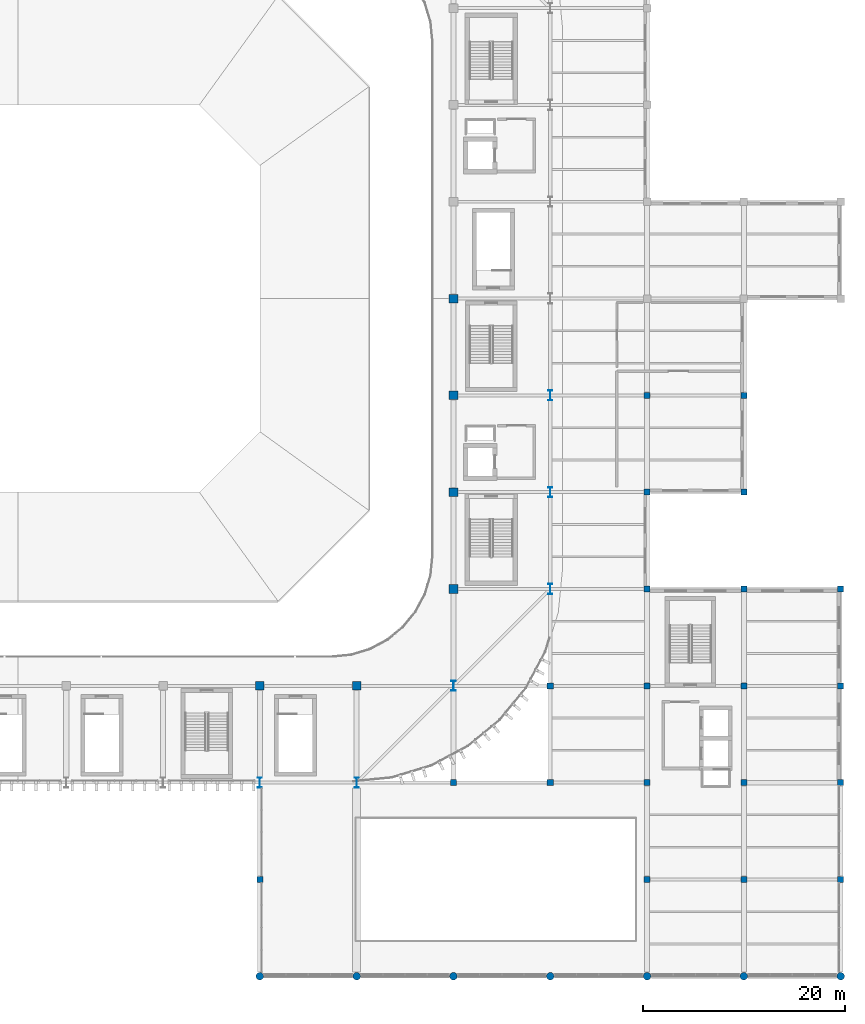
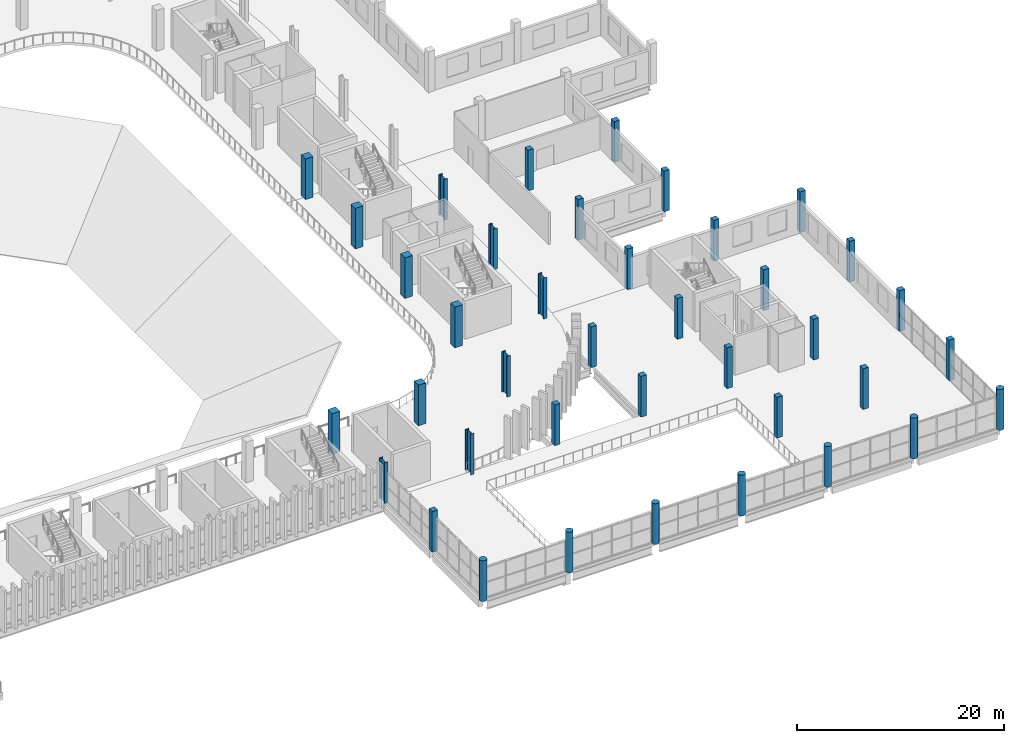
# One storey, part 9 of 99: 39 columns.
"""IFC4 building model written with IfcOpenShell, lengths in metres."""

from ifc_helpers import new_model, si_unit, direction, frame, origin, origin_2d, place, context, subcontext, project, spatial, rectangle, circle, i_section, extrude, material, material_profile, profile_set, type_object, element, save


model = new_model("IFC4")

# Units and contexts
model_context = context("Model", 3, precision=1e-05, world=origin(), true_north=direction((0.0, 1.0)))
body_context = subcontext(model_context, "Body", "Model", "MODEL_VIEW")
ifc_project = project(units=[si_unit("LENGTHUNIT", "METRE"), si_unit("AREAUNIT", "SQUARE_METRE"), si_unit("VOLUMEUNIT", "CUBIC_METRE"), si_unit("PLANEANGLEUNIT", "RADIAN"), si_unit("MASSUNIT", "GRAM", prefix="KILO")], contexts=[model_context])

# Site, building, storey
site_placement = place(None, origin())
site = spatial("IfcSite", under=ifc_project, at=site_placement, CompositionType="ELEMENT")
building_placement = place(site_placement, origin())
building = spatial("IfcBuilding", under=site, at=building_placement, Name="Caelomonte Colonnade Arena", CompositionType="ELEMENT")
storey_placement = place(building_placement, frame((0.0, 0.0, 4.800048828125)))
storey = spatial("IfcBuildingStorey", under=building, at=storey_placement, Name="L01", CompositionType="ELEMENT", Elevation=4.800048828125)

# Columns
ifc_material_1 = material(Name="Concrete C40/50", Category="concrete")
ifc_material_profile_1 = material_profile(ifc_material_1, rectangle(XDim=0.60009765625, YDim=0.60009765625, at=origin_2d()), Name="RC600X600")
ifc_profile_set_1 = profile_set([ifc_material_profile_1], Name="Concrete C40/50")
column_type_1 = type_object("IfcColumnType", Name="STR-COL-RC06", PredefinedType="COLUMN", material=ifc_profile_set_1)
for number, where, z_axis, x_axis, name in (
    (1, (134.39990234375, 9.60009765625, 0.0), (0.0, 0.0, 1.0), (1.0, 0.0, 0.0), "L01 column (134.4, 9.6)"),
    (2, (153.60009765625, 19.199951171875, 0.0), (0.0, 0.0, 1.0), (1.0, 0.0, 0.0), "L01 column (153.6, 19.2)"),
    (3, (163.199951171875, 19.199951171875, 0.0), (0.0, 0.0, 1.0), (1.0, 0.0, 0.0), "L01 column (163.2, 19.2)"),
    (4, (163.199951171875, 28.800048828125, 0.0), (0.0, 0.0, 1.0), (1.0, 0.0, 0.0), "L01 column (163.2, 28.8)"),
    (5, (172.800048828125, 9.60009765625, 0.0), (0.0, 0.0, 1.0), (1.0, 0.0, 0.0), "L01 column (172.8, 9.6)"),
    (6, (172.800048828125, 19.199951171875, 0.0), (0.0, 0.0, 1.0), (1.0, 0.0, 0.0), "L01 column (172.8, 19.2)"),
    (7, (172.800048828125, 28.800048828125, 0.0), (0.0, 0.0, 1.0), (1.0, 0.0, 0.0), "L01 column (172.8, 28.8)"),
    (8, (172.800048828125, 38.39990234375, 0.0), (0.0, 0.0, 1.0), (1.0, 0.0, 0.0), "L01 column (172.8, 38.4)"),
    (9, (172.800048828125, 48.0, 0.0), (0.0, 0.0, 1.0), (1.0, 0.0, 0.0), "L01 column (172.8, 48.0)"),
    (10, (172.800048828125, 57.60009765625, 0.0), (0.0, 0.0, 1.0), (1.0, 0.0, 0.0), "L01 column (172.8, 57.6)"),
    (11, (182.39990234375, 9.60009765625, 0.0), (0.0, 0.0, 1.0), (1.0, 0.0, 0.0), "L01 column (182.4, 9.6)"),
    (12, (182.39990234375, 19.199951171875, 0.0), (0.0, 0.0, 1.0), (1.0, 0.0, 0.0), "L01 column (182.4, 19.2)"),
    (13, (182.39990234375, 28.800048828125, 0.0), (0.0, 0.0, 1.0), (1.0, 0.0, 0.0), "L01 column (182.4, 28.8)"),
    (14, (182.39990234375, 38.39990234375, 0.0), (0.0, 0.0, 1.0), (1.0, 0.0, 0.0), "L01 column (182.4, 38.4)"),
    (15, (182.39990234375, 48.0, 0.0), (0.0, 0.0, 1.0), (1.0, 0.0, 0.0), "L01 column (182.4, 48.0)"),
    (16, (182.39990234375, 57.60009765625, 0.0), (0.0, 0.0, 1.0), (1.0, 0.0, 0.0), "L01 column (182.4, 57.6)"),
    (17, (192.0, 9.60009765625, 0.0), (0.0, 0.0, 1.0), (1.0, 0.0, 0.0), "L01 column (192.0, 9.6)"),
    (18, (192.0, 19.199951171875, 0.0), (0.0, 0.0, 1.0), (1.0, 0.0, 0.0), "L01 column (192.0, 19.2)"),
    (19, (192.0, 28.800048828125, 0.0), (0.0, 0.0, 1.0), (1.0, 0.0, 0.0), "L01 column (192.0, 28.8)"),
    (20, (192.0, 38.39990234375, 0.0), (0.0, 0.0, 1.0), (1.0, 0.0, 0.0), "L01 column (192.0, 38.4)"),
):
    element("IfcColumn", number, at=place(storey_placement, frame(where, z_axis=z_axis, x_axis=x_axis)), inside=storey, type_object=column_type_1, Name=name, PredefinedType="COLUMN", context=body_context, shape_type="SweptSolid", body=[
        extrude(rectangle(XDim=0.60009765625, YDim=0.60009765625, at=origin_2d()), origin(), (0.0, 0.0, 1.0), 4.800048828125),
    ])
ifc_material_2 = material(Name="Concrete C50/60", Category="concrete")
ifc_material_profile_2 = material_profile(ifc_material_2, rectangle(XDim=0.85009765625, YDim=0.85009765625, at=origin_2d()), Name="RC850X850")
ifc_profile_set_2 = profile_set([ifc_material_profile_2], Name="Concrete C50/60")
column_type_2 = type_object("IfcColumnType", Name="STR-COL-RC85", PredefinedType="COLUMN", material=ifc_profile_set_2)
for number, where, z_axis, x_axis, name in (
    (21, (134.39990234375, 28.800048828125, 0.0), (0.0, 0.0, 1.0), (1.0, 0.0, 0.0), "L01 column (134.4, 28.8)"),
    (22, (144.0, 28.800048828125, 0.0), (0.0, 0.0, 1.0), (1.0, 0.0, 0.0), "L01 column (144.0, 28.8)"),
    (23, (153.60009765625, 38.39990234375, 0.0), (0.0, 0.0, 1.0), (1.0, 0.0, 0.0), "L01 column (153.6, 38.4)"),
    (24, (153.60009765625, 48.0, 0.0), (0.0, 0.0, 1.0), (1.0, 0.0, 0.0), "L01 column (153.6, 48.0)"),
    (25, (153.60009765625, 57.60009765625, 0.0), (0.0, 0.0, 1.0), (1.0, 0.0, 0.0), "L01 column (153.6, 57.6)"),
    (26, (153.60009765625, 67.199951171875, 0.0), (0.0, 0.0, 1.0), (1.0, 0.0, 0.0), "L01 column (153.6, 67.2)"),
):
    element("IfcColumn", number, at=place(storey_placement, frame(where, z_axis=z_axis, x_axis=x_axis)), inside=storey, type_object=column_type_2, Name=name, PredefinedType="COLUMN", context=body_context, shape_type="SweptSolid", body=[
        extrude(rectangle(XDim=0.85009765625, YDim=0.85009765625, at=origin_2d()), origin(), (0.0, 0.0, 1.0), 4.800048828125),
    ])
ifc_material_3 = material(Name="Wide-flange steel ASTM A992 Grade 50", Category="steel")
ifc_material_profile_3 = material_profile(ifc_material_3, i_section(OverallWidth=0.419189453125, OverallDepth=1.010986328125, WebThickness=0.023681640625, FlangeThickness=0.0419921875, FilletRadius=0.030517578125, at=origin_2d()), Name="W40X297")
ifc_profile_set_3 = profile_set([ifc_material_profile_3], Name="Wide-flange steel ASTM A992 Grade 50")
column_type_3 = type_object("IfcColumnType", Name="STR-COL-W40B", PredefinedType="COLUMN", material=ifc_profile_set_3)
for number, where, z_axis, x_axis, name in (
    (27, (134.39990234375, 19.199951171875, 0.0), (0.0, 0.0, 1.0), (1.0, 0.0, 0.0), "L01 column (134.4, 19.2)"),
    (28, (144.0, 19.199951171875, 0.0), (0.0, 0.0, 1.0), (1.0, 0.0, 0.0), "L01 column (144.0, 19.2)"),
    (29, (153.60009765625, 28.800048828125, 0.0), (0.0, 0.0, 1.0), (1.0, 0.0, 0.0), "L01 column (153.6, 28.8)"),
    (30, (163.199951171875, 38.39990234375, 0.0), (0.0, 0.0, 1.0), (1.0, 0.0, 0.0), "L01 column (163.2, 38.4)"),
    (31, (163.199951171875, 48.0, 0.0), (0.0, 0.0, 1.0), (1.0, 0.0, 0.0), "L01 column (163.2, 48.0)"),
    (32, (163.199951171875, 57.60009765625, 0.0), (0.0, 0.0, 1.0), (1.0, 0.0, 0.0), "L01 column (163.2, 57.6)"),
):
    element("IfcColumn", number, at=place(storey_placement, frame(where, z_axis=z_axis, x_axis=x_axis)), inside=storey, type_object=column_type_3, Name=name, PredefinedType="COLUMN", context=body_context, shape_type="SweptSolid", body=[
        extrude(i_section(OverallWidth=0.419189453125, OverallDepth=1.010986328125, WebThickness=0.023681640625, FlangeThickness=0.0419921875, FilletRadius=0.030517578125, at=origin_2d()), origin(), (0.0, 0.0, 1.0), 4.800048828125),
    ])
ifc_material_profile_4 = material_profile(ifc_material_1, circle(Radius=0.375, at=origin_2d()), Name="RC-COL750")
ifc_profile_set_4 = profile_set([ifc_material_profile_4], Name="Concrete C40/50")
column_type_4 = type_object("IfcColumnType", Name="STR-PIL-C750", PredefinedType="PILASTER", material=ifc_profile_set_4)
for number, where, z_axis, x_axis, name in (
    (33, (134.39990234375, 0.0, 0.0), (0.0, 0.0, 1.0), (1.0, 0.0, 0.0), "L01 column (134.4, 0.0)"),
    (34, (144.0, 0.0, 0.0), (0.0, 0.0, 1.0), (1.0, 0.0, 0.0), "L01 column (144.0, 0.0)"),
    (35, (153.60009765625, 0.0, 0.0), (0.0, 0.0, 1.0), (1.0, 0.0, 0.0), "L01 column (153.6, 0.0)"),
    (36, (163.199951171875, 0.0, 0.0), (0.0, 0.0, 1.0), (1.0, 0.0, 0.0), "L01 column (163.2, 0.0)"),
    (37, (172.800048828125, 0.0, 0.0), (0.0, 0.0, 1.0), (1.0, 0.0, 0.0), "L01 column (172.8, 0.0)"),
    (38, (182.39990234375, 0.0, 0.0), (0.0, 0.0, 1.0), (1.0, 0.0, 0.0), "L01 column (182.4, 0.0)"),
    (39, (192.0, 0.0, 0.0), (0.0, 0.0, 1.0), (1.0, 0.0, 0.0), "L01 column (192.0, 0.0)"),
):
    element("IfcColumn", number, at=place(storey_placement, frame(where, z_axis=z_axis, x_axis=x_axis)), inside=storey, type_object=column_type_4, Name=name, PredefinedType="PILASTER", context=body_context, shape_type="SweptSolid", body=[
        extrude(circle(Radius=0.375, at=origin_2d()), origin(), (0.0, 0.0, 1.0), 4.800048828125),
    ])

save(model, "model.ifc")
